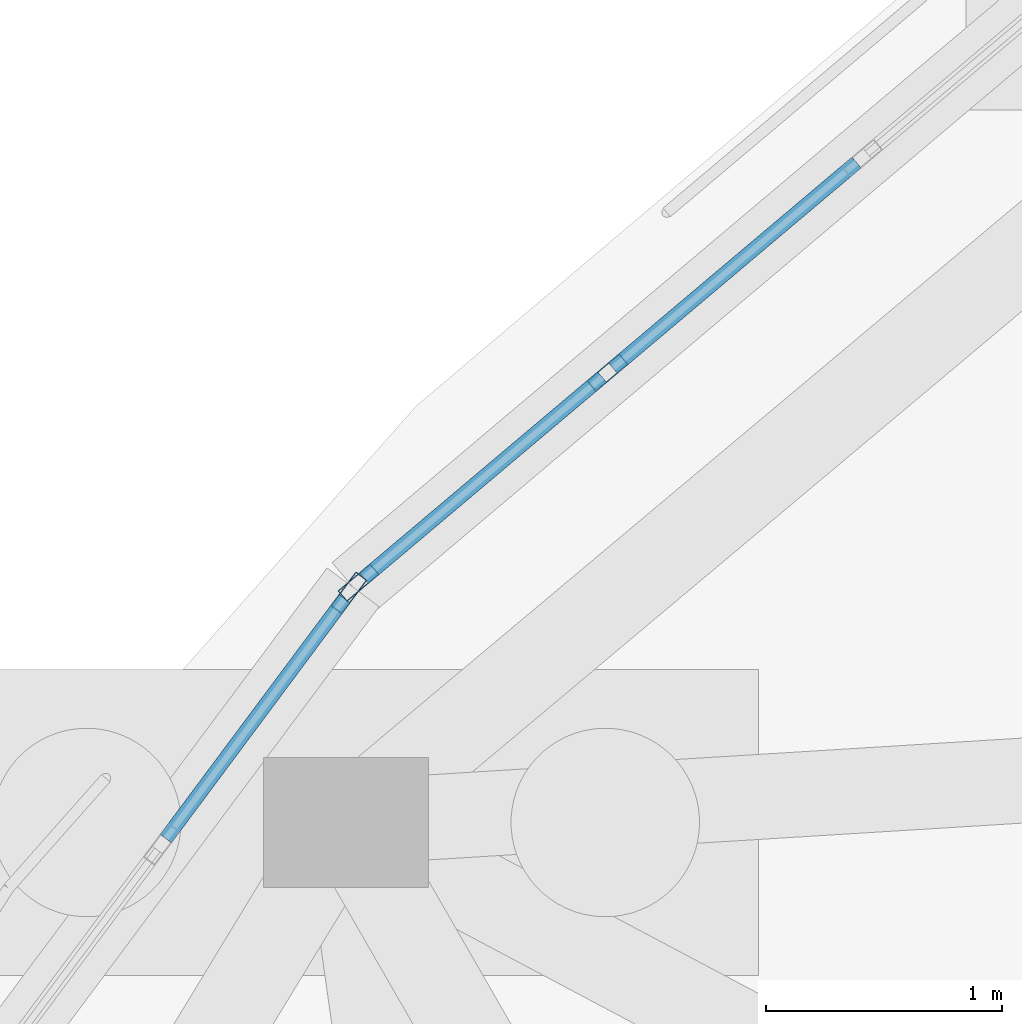
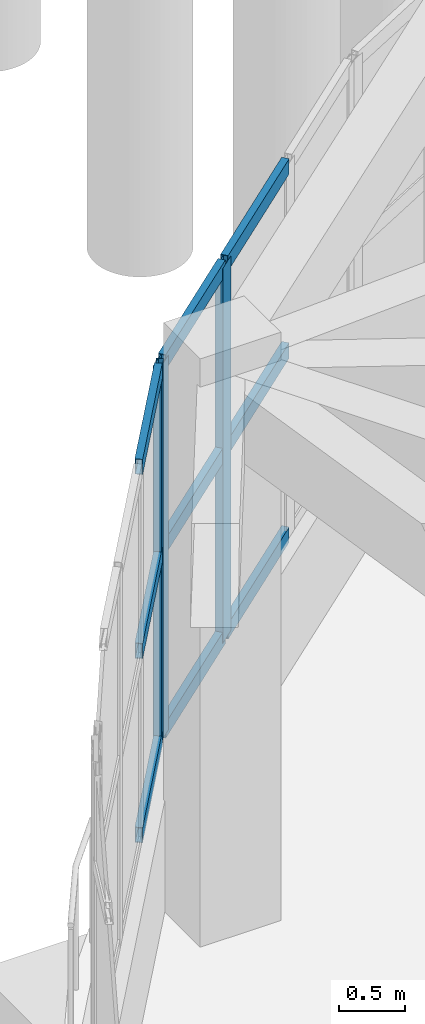
# One storey, part 16 of 96: 12 members, 2 elements without a shape of their own.
"""IFC4 building model written with IfcOpenShell, lengths in metres."""

from ifc_helpers import new_model, si_unit, direction, frame, origin, origin_2d, place, context, subcontext, project, spatial, hollow_rectangle, extrude, material, layer, layer_set, material_profile, profile_set, type_object, element, aggregate, save


model = new_model("IFC4")

# Units and contexts
model_context = context("Model", 3, precision=1e-05, world=origin(), true_north=direction((0.0, 1.0)))
body_context = subcontext(model_context, "Body", "Model", "MODEL_VIEW")
ifc_project = project(units=[si_unit("LENGTHUNIT", "METRE"), si_unit("AREAUNIT", "SQUARE_METRE"), si_unit("VOLUMEUNIT", "CUBIC_METRE"), si_unit("PLANEANGLEUNIT", "RADIAN"), si_unit("MASSUNIT", "GRAM", prefix="KILO")], contexts=[model_context])

# Site, building, storey
site_placement = place(None, origin())
site = spatial("IfcSite", under=ifc_project, at=site_placement, CompositionType="ELEMENT")
building_placement = place(site_placement, origin())
building = spatial("IfcBuilding", under=site, at=building_placement, Name="Pelvatis Terrace Science Centre", CompositionType="ELEMENT")
storey_placement = place(building_placement, origin())
storey = spatial("IfcBuildingStorey", under=building, at=storey_placement, Name="L00", CompositionType="ELEMENT", Elevation=0.0)

# Curtain wall, members
ifc_material_1 = material(Name="Bronze-anodised aluminium and laminated glass", Category="aluminium")
ifc_layer = layer(ifc_material_1, 0.179931640625)
ifc_layer_set = layer_set([ifc_layer], Name="Bronze-anodised aluminium and laminated glass")
curtain_wall_type = type_object("IfcCurtainWallType", Name="CW-RIBBON-A", PredefinedType="NOTDEFINED", material=ifc_layer_set)
curtain_wall_1_placement = place(storey_placement, origin())
curtain_wall_1 = element("IfcCurtainWall", 1, at=curtain_wall_1_placement, inside=storey, type_object=curtain_wall_type, Name="Ribbon curtain wall CW-004 (L00)", PredefinedType="NOTDEFINED")
ifc_material_2 = material(Name="Bronze-anodised aluminium 6063-T6", Category="aluminium")
ifc_material_profile_1 = material_profile(ifc_material_2, hollow_rectangle(XDim=0.06005859375, YDim=0.179931640625, WallThickness=0.00390625, at=origin_2d()), Name="ALU-MUL 60x180")
ifc_profile_set_1 = profile_set([ifc_material_profile_1], Name="Bronze-anodised aluminium 6063-T6")
member_type_1 = type_object("IfcMemberType", Name="CWM-60x180", PredefinedType="MULLION", material=ifc_profile_set_1)
member_1_placement = place(storey_placement, frame((30.69091796875, 45.86572265625, 1.02001953125), z_axis=(0.0, 0.0, 1.0), x_axis=(0.64476794595, -0.764378372192, 0.0)))
member_1 = element("IfcMember", 2, at=member_1_placement, type_object=member_type_1, Name="CW-004 mullion 3", PredefinedType="MULLION", context=body_context, shape_type="SweptSolid", body=[
    extrude(hollow_rectangle(XDim=0.06005859375, YDim=0.179931640625, WallThickness=0.00390625, at=origin_2d()), origin(), (0.0, 0.0, 1.0), 3.43994140625),
])
member_2_placement = place(storey_placement, frame((29.634521484375, 44.974609375, 1.02001953125), z_axis=(0.0, 0.0, 1.0), x_axis=(0.64476794595, -0.764378372192, 0.0)))
member_2 = element("IfcMember", 3, at=member_2_placement, type_object=member_type_1, Name="CW-004 mullion 4", PredefinedType="MULLION", context=body_context, shape_type="SweptSolid", body=[
    extrude(hollow_rectangle(XDim=0.06005859375, YDim=0.179931640625, WallThickness=0.00390625, at=origin_2d()), origin(), (0.0, 0.0, 1.0), 3.43994140625),
])

# Curtain wall, member
curtain_wall_2_placement = place(storey_placement, origin())
curtain_wall_2 = element("IfcCurtainWall", 4, at=curtain_wall_2_placement, inside=storey, type_object=curtain_wall_type, Name="Ribbon curtain wall CW-005 (L00)", PredefinedType="NOTDEFINED")
member_3_placement = place(storey_placement, frame((29.593505859375, 44.93115234375, 1.02001953125), z_axis=(0.0, 0.0, 1.0), x_axis=(0.801964132065, -0.597372187903, 0.0)))
member_3 = element("IfcMember", 5, at=member_3_placement, type_object=member_type_1, Name="CW-005 mullion 1", PredefinedType="MULLION", context=body_context, shape_type="SweptSolid", body=[
    extrude(hollow_rectangle(XDim=0.06005859375, YDim=0.179931640625, WallThickness=0.00390625, at=origin_2d()), origin(), (0.0, 0.0, 1.0), 3.43994140625),
])

# Member
ifc_material_3 = material(Name="Bronze-anodised aluminium 6063-T6", Category="aluminium")
ifc_material_profile_2 = material_profile(ifc_material_3, hollow_rectangle(XDim=0.06005859375, YDim=0.139892578125, WallThickness=0.00390625, at=origin_2d()), Name="ALU-TRN 60x140")
ifc_profile_set_2 = profile_set([ifc_material_profile_2], Name="Bronze-anodised aluminium 6063-T6")
member_type_2 = type_object("IfcMemberType", Name="CWT-60x140", PredefinedType="USERDEFINED", material=ifc_profile_set_2)
member_4_placement = place(storey_placement, frame((31.747314453125, 46.7568359375, 1.050048828125), z_axis=(-0.764344322574, -0.644808309925, 0.0), x_axis=(0.644808309925, -0.764344322574, 0.0)))
member_4 = element("IfcMember", 6, at=member_4_placement, type_object=member_type_2, Name="CW-004 transom 2.1", ObjectType="TRANSOM", PredefinedType="USERDEFINED", context=body_context, shape_type="SweptSolid", body=[
    extrude(hollow_rectangle(XDim=0.06005859375, YDim=0.139892578125, WallThickness=0.00390625, at=origin_2d()), origin(), (0.0, 0.0, 1.0), 1.35205078125),
])

member_5_placement = place(storey_placement, frame((31.747314453125, 46.7568359375, 2.739990234375), z_axis=(-0.764344322574, -0.644808309925, 0.0), x_axis=(0.644808309925, -0.764344322574, 0.0)))
member_5 = element("IfcMember", 7, at=member_5_placement, type_object=member_type_2, Name="CW-004 transom 2.2", ObjectType="TRANSOM", PredefinedType="USERDEFINED", context=body_context, shape_type="SweptSolid", body=[
    extrude(hollow_rectangle(XDim=0.06005859375, YDim=0.139892578125, WallThickness=0.00390625, at=origin_2d()), origin(), (0.0, 0.0, 1.0), 1.35205078125),
])

member_6_placement = place(storey_placement, frame((31.747314453125, 46.7568359375, 4.429931640625), z_axis=(-0.764344322574, -0.644808309925, 0.0), x_axis=(0.644808309925, -0.764344322574, 0.0)))
member_6 = element("IfcMember", 8, at=member_6_placement, type_object=member_type_2, Name="CW-004 transom 2.3", ObjectType="TRANSOM", PredefinedType="USERDEFINED", context=body_context, shape_type="SweptSolid", body=[
    extrude(hollow_rectangle(XDim=0.06005859375, YDim=0.139892578125, WallThickness=0.00390625, at=origin_2d()), origin(), (0.0, 0.0, 1.0), 1.35205078125),
])

member_7_placement = place(storey_placement, frame((30.66796875, 45.846435546875, 1.050048828125), z_axis=(-0.764317080697, -0.644840600579, 0.0), x_axis=(0.644840600579, -0.764317080697, 0.0)))
member_7 = element("IfcMember", 9, at=member_7_placement, type_object=member_type_2, Name="CW-004 transom 3.1", ObjectType="TRANSOM", PredefinedType="USERDEFINED", context=body_context, shape_type="SweptSolid", body=[
    extrude(hollow_rectangle(XDim=0.06005859375, YDim=0.139892578125, WallThickness=0.00390625, at=origin_2d()), origin(), (0.0, 0.0, 1.0), 1.322021484375),
])

member_8_placement = place(storey_placement, frame((30.66796875, 45.846435546875, 2.739990234375), z_axis=(-0.764317080697, -0.644840600579, 0.0), x_axis=(0.644840600579, -0.764317080697, 0.0)))
member_8 = element("IfcMember", 10, at=member_8_placement, type_object=member_type_2, Name="CW-004 transom 3.2", ObjectType="TRANSOM", PredefinedType="USERDEFINED", context=body_context, shape_type="SweptSolid", body=[
    extrude(hollow_rectangle(XDim=0.06005859375, YDim=0.139892578125, WallThickness=0.00390625, at=origin_2d()), origin(), (0.0, 0.0, 1.0), 1.322021484375),
])

member_9_placement = place(storey_placement, frame((30.66796875, 45.846435546875, 4.429931640625), z_axis=(-0.764317080697, -0.644840600579, 0.0), x_axis=(0.644840600579, -0.764317080697, 0.0)))
member_9 = element("IfcMember", 11, at=member_9_placement, type_object=member_type_2, Name="CW-004 transom 3.3", ObjectType="TRANSOM", PredefinedType="USERDEFINED", context=body_context, shape_type="SweptSolid", body=[
    extrude(hollow_rectangle(XDim=0.06005859375, YDim=0.139892578125, WallThickness=0.00390625, at=origin_2d()), origin(), (0.0, 0.0, 1.0), 1.322021484375),
])

aggregate(curtain_wall_1, [member_1, member_2, member_4, member_5, member_6, member_7, member_8, member_9])

member_10_placement = place(storey_placement, frame((29.57568359375, 44.906982421875, 1.050048828125), z_axis=(-0.59735037434, -0.801980380231, 0.0), x_axis=(0.801980380231, -0.59735037434, 0.0)))
member_10 = element("IfcMember", 12, at=member_10_placement, type_object=member_type_2, Name="CW-005 transom 1.1", ObjectType="TRANSOM", PredefinedType="USERDEFINED", context=body_context, shape_type="SweptSolid", body=[
    extrude(hollow_rectangle(XDim=0.06005859375, YDim=0.139892578125, WallThickness=0.00390625, at=origin_2d()), origin(), (0.0, 0.0, 1.0), 1.26953125),
])

member_11_placement = place(storey_placement, frame((29.57568359375, 44.906982421875, 2.739990234375), z_axis=(-0.59735037434, -0.801980380231, 0.0), x_axis=(0.801980380231, -0.59735037434, 0.0)))
member_11 = element("IfcMember", 13, at=member_11_placement, type_object=member_type_2, Name="CW-005 transom 1.2", ObjectType="TRANSOM", PredefinedType="USERDEFINED", context=body_context, shape_type="SweptSolid", body=[
    extrude(hollow_rectangle(XDim=0.06005859375, YDim=0.139892578125, WallThickness=0.00390625, at=origin_2d()), origin(), (0.0, 0.0, 1.0), 1.26953125),
])

member_12_placement = place(storey_placement, frame((29.57568359375, 44.906982421875, 4.429931640625), z_axis=(-0.59735037434, -0.801980380231, 0.0), x_axis=(0.801980380231, -0.59735037434, 0.0)))
member_12 = element("IfcMember", 14, at=member_12_placement, type_object=member_type_2, Name="CW-005 transom 1.3", ObjectType="TRANSOM", PredefinedType="USERDEFINED", context=body_context, shape_type="SweptSolid", body=[
    extrude(hollow_rectangle(XDim=0.06005859375, YDim=0.139892578125, WallThickness=0.00390625, at=origin_2d()), origin(), (0.0, 0.0, 1.0), 1.26953125),
])

aggregate(curtain_wall_2, [member_3, member_10, member_11, member_12])

save(model, "model.ifc")
